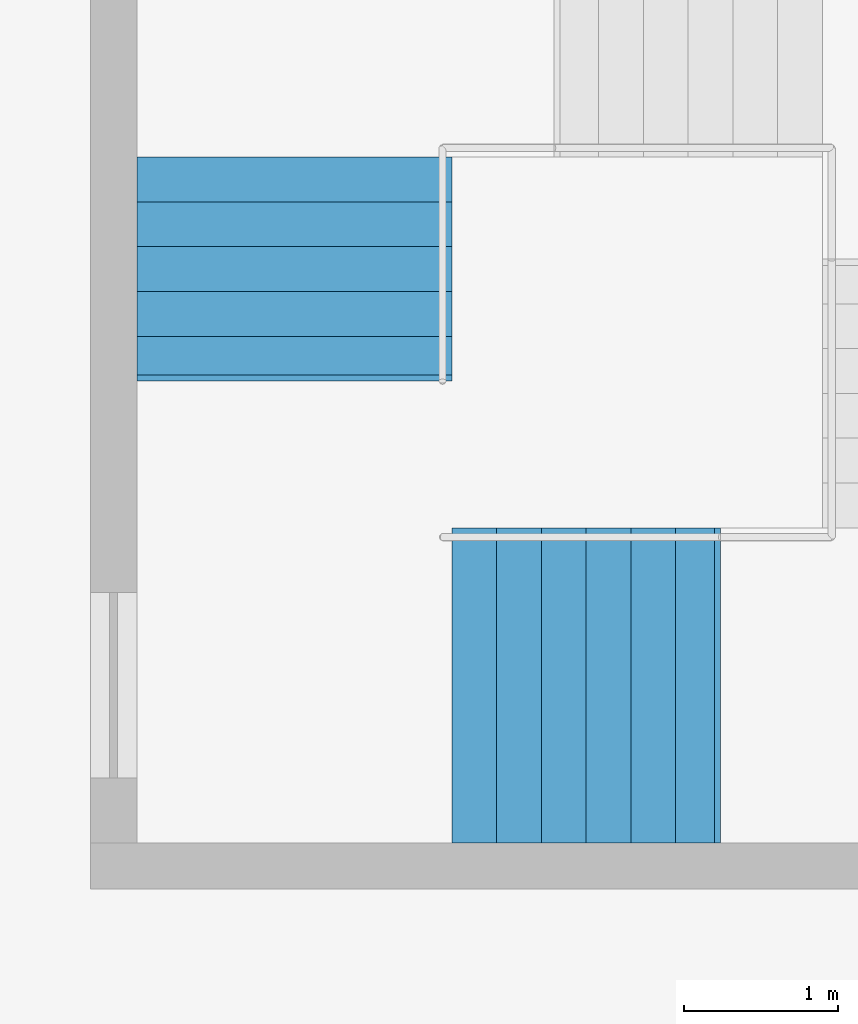
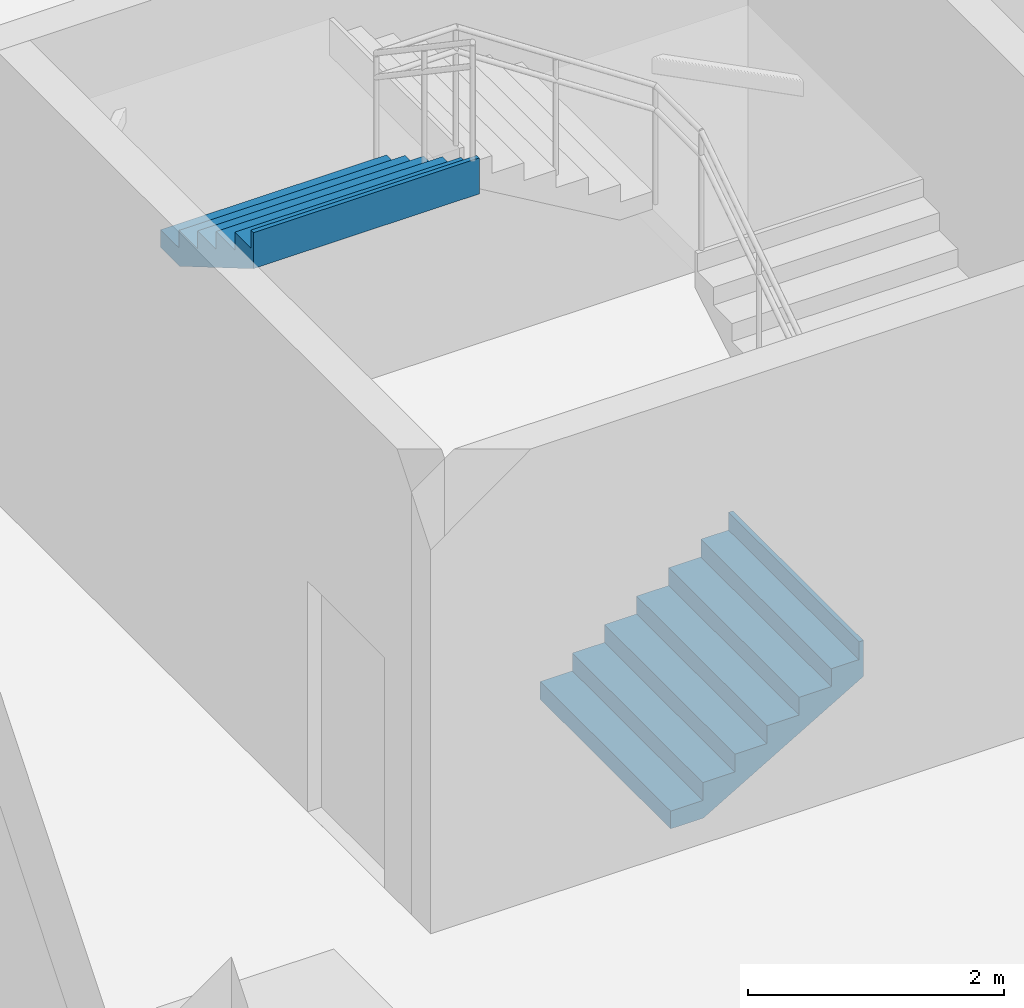
# One storey, part 27 of 30: 2 stair flights, 1 element without a shape of its own.
"""IFC4 building model written with IfcOpenShell, lengths in metres."""

import ifcopenshell
import ifcopenshell.guid

model = None  # the IFC model being written
_history = None  # IfcOwnerHistory: only IFC2X3 demands one
_inside = {}  # id of a spatial element -> (the spatial element, [elements in it])
_under = {}  # id of a project, library or spatial element -> (it, [spatial elements below it])
_declared = {}  # id of a project -> (the project, [libraries it declares])
_typed = {}  # id of a type object -> (the type object, [elements of that type])
_made_of = {}  # id of a material, layer set ... -> (it, [elements and type objects made of it])


def new_model(schema):
    """Start an empty IFC model of exactly this schema.

    Asked for "IFC4X3", IfcOpenShell would pick the latest addendum, in which some entities
    have other attributes; the version numbers below select the first issue.
    IFC2X3 requires an IfcOwnerHistory on every rooted entity: one is made here for all.
    """
    global model, _history
    if schema == "IFC4X3":
        model = ifcopenshell.file(schema_version=(4, 3, 0, 0))
    else:
        model = ifcopenshell.file(schema=schema)
    _inside.clear()
    _under.clear()
    _declared.clear()
    _typed.clear()
    _made_of.clear()
    _history = None
    if model.schema == "IFC2X3":
        org = make("IfcOrganization", Name="unknown")
        user = make(
            "IfcPersonAndOrganization",
            ThePerson=make("IfcPerson", FamilyName="unknown"),
            TheOrganization=org,
        )
        app = make(
            "IfcApplication",
            ApplicationDeveloper=org,
            Version="unknown",
            ApplicationFullName="unknown",
            ApplicationIdentifier="unknown",
        )
        _history = make(
            "IfcOwnerHistory",
            OwningUser=user,
            OwningApplication=app,
            ChangeAction="ADDED",
            CreationDate=0,
        )
    return model


def make(cls, **values):
    """One entity of the class cls with the attributes given. An attribute that is None is left unset."""
    return model.create_entity(
        cls, **{name: value for name, value in values.items() if value is not None}
    )


def rooted(cls, **values):
    """An entity with a GlobalId (a new one), such as an element, a storey or a relation."""
    return make(cls, GlobalId=ifcopenshell.guid.new(), OwnerHistory=_history, **values)


def si_unit(unit_type, name, prefix=None):
    """IfcSIUnit, for example si_unit("LENGTHUNIT", "METRE", prefix="MILLI")."""
    return make("IfcSIUnit", UnitType=unit_type, Prefix=prefix, Name=name)


def assignment(units):
    """IfcUnitAssignment: the units of a project."""
    return None if units is None else make("IfcUnitAssignment", Units=units)


def point(xyz):
    """IfcCartesianPoint."""
    return None if xyz is None else make("IfcCartesianPoint", Coordinates=xyz)


def direction(xyz):
    """IfcDirection."""
    return None if xyz is None else make("IfcDirection", DirectionRatios=xyz)


def frame(location, z_axis=None, x_axis=None):
    """IfcAxis2Placement3D, a coordinate frame: its origin and axes. An axis left out is left unset."""
    return make(
        "IfcAxis2Placement3D",
        Location=point(location),
        Axis=direction(z_axis),
        RefDirection=direction(x_axis),
    )


def origin():
    """The frame at (0, 0, 0) with its axes left unset."""
    return frame((0.0, 0.0, 0.0))


def place(relative_to, where):
    """IfcLocalPlacement: puts the frame where relative to a parent placement (None: the world)."""
    return make(
        "IfcLocalPlacement", PlacementRelTo=relative_to, RelativePlacement=where
    )


def context(
    kind, dimensions, precision=None, world=None, true_north=None, identifier=None
):
    """IfcGeometricRepresentationContext, for example the 3D "Model" context."""
    return make(
        "IfcGeometricRepresentationContext",
        ContextIdentifier=identifier,
        ContextType=kind,
        CoordinateSpaceDimension=dimensions,
        Precision=precision,
        WorldCoordinateSystem=world,
        TrueNorth=true_north,
    )


def subcontext(parent, identifier, kind, view, scale=None):
    """IfcGeometricRepresentationSubContext, for example "Body" below "Model"."""
    return make(
        "IfcGeometricRepresentationSubContext",
        ContextIdentifier=identifier,
        ContextType=kind,
        ParentContext=parent,
        TargetScale=scale,
        TargetView=view,
    )


def project(units=None, contexts=None):
    """IfcProject with its units and contexts."""
    return rooted(
        "IfcProject",
        Name="project",
        RepresentationContexts=contexts,
        UnitsInContext=assignment(units),
    )


def spatial(cls, under=None, at=None, **own):
    """A site, building, storey or space (cls), placed at a placement, below another one or the project."""
    s = rooted(cls, ObjectPlacement=at, **own)
    if under is not None:
        _under.setdefault(under.id(), (under, []))[1].append(s)
    return s


def point_list(points):
    """IfcCartesianPointList2D or 3D."""
    cls = (
        "IfcCartesianPointList2D" if len(points[0]) == 2 else "IfcCartesianPointList3D"
    )
    return make(cls, CoordList=points)


def triangles(points, corners, closed=None, point_numbers=None):
    """IfcTriangulatedFaceSet: each triangle names its three corners, points numbered from 1."""
    return make(
        "IfcTriangulatedFaceSet",
        Coordinates=point_list(points),
        Closed=closed,
        CoordIndex=corners,
        PnIndex=point_numbers,
    )


def shape(context_of_items, identifier, shape_type, items):
    """IfcShapeRepresentation: the items that make up one representation, for example the "Body"."""
    return make(
        "IfcShapeRepresentation",
        ContextOfItems=context_of_items,
        RepresentationIdentifier=identifier,
        RepresentationType=shape_type,
        Items=items,
    )


def material(Name=None, Category=None):
    """IfcMaterial."""
    return make("IfcMaterial", Name=Name, Category=Category)


def made_of(thing, what):
    """Note that an element or type object is made of a material, layer set ...; save() writes the relation."""
    if what is not None:
        _made_of.setdefault(what.id(), (what, []))[1].append(thing)
    return thing


def type_object(cls, material=None, **own):
    """A type object (cls), such as IfcWallType, which elements share."""
    return made_of(rooted(cls, **own), material)


def element(
    cls,
    number,
    at=None,
    inside=None,
    cuts=None,
    type_object=None,
    material=None,
    context=None,
    identifier="Body",
    shape_type=None,
    held_by="IfcProductDefinitionShape",
    body=None,
    shapes=None,
    **own,
):
    """One element of the class cls, such as IfcWall. Its Tag is "e" and its number.

    at: its placement. inside: the storey or other place that contains it. cuts: it is an
    opening in that element (IfcRelVoidsElement). A single representation is given by context,
    identifier, shape_type and body (its items); several are given by shapes. held_by: the class
    of the entity that holds the representations. save() writes the other relations.
    """
    e = rooted(cls, Tag="e%d" % number, ObjectPlacement=at, **own)
    if body is not None:
        shapes = [shape(context, identifier, shape_type, body)]
    if shapes is not None:
        e.Representation = make(held_by, Representations=shapes)
    if inside is not None:
        _inside.setdefault(inside.id(), (inside, []))[1].append(e)
    if cuts is not None:
        rooted(
            "IfcRelVoidsElement", RelatingBuildingElement=cuts, RelatedOpeningElement=e
        )
    if type_object is not None:
        _typed.setdefault(type_object.id(), (type_object, []))[1].append(e)
    return made_of(e, material)


def aggregate(whole, parts):
    """IfcRelAggregates: a whole, such as a stair, and the parts it consists of."""
    return rooted("IfcRelAggregates", RelatingObject=whole, RelatedObjects=parts)


def save(model, path):
    """Write the relations noted so far, then the file.

    IfcRelAggregates (storeys below a building ...), IfcRelContainedInSpatialStructure (elements
    in a storey), IfcRelDefinesByType, IfcRelAssociatesMaterial and IfcRelDeclares: one each for
    every whole, place, type object, material and project.
    """
    for whole, parts in _under.values():
        aggregate(whole, parts)
    for where, things in _inside.values():
        rooted(
            "IfcRelContainedInSpatialStructure",
            RelatedElements=things,
            RelatingStructure=where,
        )
    for kind, things in _typed.values():
        rooted("IfcRelDefinesByType", RelatedObjects=things, RelatingType=kind)
    for what, things in _made_of.values():
        rooted("IfcRelAssociatesMaterial", RelatedObjects=things, RelatingMaterial=what)
    for by, libraries in _declared.values():
        rooted("IfcRelDeclares", RelatingContext=by, RelatedDefinitions=libraries)
    model.write(path)


model = new_model("IFC4")

# Units and contexts
model_context = context("Model", 3, precision=1e-05, world=origin(), true_north=direction((0.0, 1.0)))
body_context = subcontext(model_context, "Body", "Model", "MODEL_VIEW")
ifc_project = project(units=[si_unit("LENGTHUNIT", "METRE"), si_unit("AREAUNIT", "SQUARE_METRE"), si_unit("VOLUMEUNIT", "CUBIC_METRE"), si_unit("PLANEANGLEUNIT", "RADIAN"), si_unit("MASSUNIT", "GRAM", prefix="KILO")], contexts=[model_context])

# Site, building, storey
site_placement = place(None, origin())
site = spatial("IfcSite", under=ifc_project, at=site_placement, CompositionType="ELEMENT")
building_placement = place(site_placement, origin())
building = spatial("IfcBuilding", under=site, at=building_placement, Name="Sillaruma Civic Art Gallery", CompositionType="ELEMENT")
storey_placement = place(building_placement, frame((0.0, 0.0, -9.179931640625)))
storey = spatial("IfcBuildingStorey", under=building, at=storey_placement, Name="B02", CompositionType="ELEMENT", Elevation=-9.179931640625)

# Stair, stair flights
ifc_material = material(Name="Concrete H35 (35 MPa)", Category="concrete")
stair_type = type_object("IfcStairType", Name="STR-4F-27", PredefinedType="USERDEFINED", material=ifc_material)
stair_placement = place(storey_placement, origin())
stair = element("IfcStair", 1, at=stair_placement, inside=storey, type_object=stair_type, Name="Protected Exit Stair ST-05 (East Wing) (B02)", ObjectType="THREE_RETURN_STAIR", PredefinedType="USERDEFINED")
stair_flight_type_1 = type_object("IfcStairFlightType", Name="SFL-STR-6", PredefinedType="STRAIGHT", material=ifc_material)
stair_flight_1_placement = place(storey_placement, frame((143.179931640625, 15.840087890625, 3.56982421875), z_axis=(0.0, 0.0, 1.0), x_axis=(0.0, -1.0, 0.0)))
stair_flight_1 = element("IfcStairFlight", 2, at=stair_flight_1_placement, type_object=stair_flight_type_1, Name="ST-05 flight 4", NumberOfRisers=6, NumberOfTreads=5, PredefinedType="STRAIGHT", RiserHeight=0.17, TreadLength=0.29, context=body_context, shape_type="Tessellation", body=[
    triangles([(0.0, -1.02001953125, 0.0), (0.29, -1.02001953125, 0.0), (0.296365, -1.02001953125, 0.0), (0.58, -1.02001953125, 0.166269), (0.87, -1.02001953125, 0.336269), (1.16, -1.02001953125, 0.506269), (1.409951, -1.02001953125, 0.652792), (1.449951, -1.02001953125, 0.67624), (1.449951, -1.02001953125, 1.02), (1.409951, -1.02001953125, 1.02), (1.409951, -1.02001953125, 0.85), (1.16, -1.02001953125, 0.85), (1.16, -1.02001953125, 0.68), (0.87, -1.02001953125, 0.68), (0.87, -1.02001953125, 0.51), (0.58, -1.02001953125, 0.51), (0.58, -1.02001953125, 0.34), (0.296365, -1.02001953125, 0.34), (0.29, -1.02001953125, 0.34), (0.29, -1.02001953125, 0.17), (0.0, -1.02001953125, 0.17), (0.0, -0.05, 0.0), (0.29, -0.05, 0.0), (0.296365, -0.05, 0.0), (0.58, -0.05, 0.166269), (0.87, -0.05, 0.336269), (1.16, -0.05, 0.506269), (1.409951, -0.05, 0.652792), (1.449951, -0.05, 0.67624), (1.449951, -0.05, 1.02), (1.409951, -0.05, 1.02), (1.409951, -0.05, 0.85), (1.16, -0.05, 0.85), (1.16, -0.05, 0.68), (0.87, -0.05, 0.68), (0.87, -0.05, 0.51), (0.58, -0.05, 0.51), (0.58, -0.05, 0.34), (0.296365, -0.05, 0.34), (0.29, -0.05, 0.34), (0.29, -0.05, 0.17), (0.0, -0.05, 0.17), (0.0, -0.0375, 0.0), (0.29, -0.0375, 0.0), (0.296365, -0.0375, 0.0), (0.58, -0.0375, 0.166269), (0.87, -0.0375, 0.336269), (1.16, -0.0375, 0.506269), (1.409951, -0.0375, 0.652792), (1.449951, -0.0375, 0.67624), (1.449951, -0.0375, 1.02), (1.409951, -0.0375, 1.02), (1.409951, -0.0375, 0.85), (1.16, -0.0375, 0.85), (1.16, -0.0375, 0.68), (0.87, -0.0375, 0.68), (0.87, -0.0375, 0.51), (0.58, -0.0375, 0.51), (0.58, -0.0375, 0.34), (0.296365, -0.0375, 0.34), (0.29, -0.0375, 0.34), (0.29, -0.0375, 0.17), (0.0, -0.0375, 0.17), (0.0, -0.025, 0.0), (0.29, -0.025, 0.0), (0.296365, -0.025, 0.0), (0.58, -0.025, 0.166269), (0.87, -0.025, 0.336269), (1.16, -0.025, 0.506269), (1.409951, -0.025, 0.652792), (1.449951, -0.025, 0.67624), (1.449951, -0.025, 1.02), (1.409951, -0.025, 1.02), (1.409951, -0.025, 0.85), (1.16, -0.025, 0.85), (1.16, -0.025, 0.68), (0.87, -0.025, 0.68), (0.87, -0.025, 0.51), (0.58, -0.025, 0.51), (0.58, -0.025, 0.34), (0.296365, -0.025, 0.34), (0.29, -0.025, 0.34), (0.29, -0.025, 0.17), (0.0, -0.025, 0.17), (0.0, -0.0125, 0.0), (0.29, -0.0125, 0.0), (0.296365, -0.0125, 0.0), (0.58, -0.0125, 0.166269), (0.87, -0.0125, 0.336269), (1.16, -0.0125, 0.506269), (1.409951, -0.0125, 0.652792), (1.449951, -0.0125, 0.67624), (1.449951, -0.0125, 1.02), (1.409951, -0.0125, 1.02), (1.409951, -0.0125, 0.85), (1.16, -0.0125, 0.85), (1.16, -0.0125, 0.68), (0.87, -0.0125, 0.68), (0.87, -0.0125, 0.51), (0.58, -0.0125, 0.51), (0.58, -0.0125, 0.34), (0.296365, -0.0125, 0.34), (0.29, -0.0125, 0.34), (0.29, -0.0125, 0.17), (0.0, -0.0125, 0.17), (0.0, 0.0, 0.0), (0.29, 0.0, 0.0), (0.296365, 0.0, 0.0), (0.58, 0.0, 0.166269), (0.87, 0.0, 0.336269), (1.16, 0.0, 0.506269), (1.409951, 0.0, 0.652792), (1.449951, 0.0, 0.67624), (1.449951, 0.0, 1.02), (1.409951, 0.0, 1.02), (1.409951, 0.0, 0.85), (1.16, 0.0, 0.85), (1.16, 0.0, 0.68), (0.87, 0.0, 0.68), (0.87, 0.0, 0.51), (0.58, 0.0, 0.51), (0.58, 0.0, 0.34), (0.296365, 0.0, 0.34), (0.29, 0.0, 0.34), (0.29, 0.0, 0.17), (0.0, 0.0, 0.17), (0.0, 0.0125, 0.0), (0.29, 0.0125, 0.0), (0.296365, 0.0125, 0.0), (0.58, 0.0125, 0.166269), (0.87, 0.0125, 0.336269), (1.16, 0.0125, 0.506269), (1.409951, 0.0125, 0.652792), (1.449951, 0.0125, 0.67624), (1.449951, 0.0125, 1.02), (1.409951, 0.0125, 1.02), (1.409951, 0.0125, 0.85), (1.16, 0.0125, 0.85), (1.16, 0.0125, 0.68), (0.87, 0.0125, 0.68), (0.87, 0.0125, 0.51), (0.58, 0.0125, 0.51), (0.58, 0.0125, 0.34), (0.296365, 0.0125, 0.34), (0.29, 0.0125, 0.34), (0.29, 0.0125, 0.17), (0.0, 0.0125, 0.17), (0.0, 0.025, 0.0), (0.29, 0.025, 0.0), (0.296365, 0.025, 0.0), (0.58, 0.025, 0.166269), (0.87, 0.025, 0.336269), (1.16, 0.025, 0.506269), (1.409951, 0.025, 0.652792), (1.449951, 0.025, 0.67624), (1.449951, 0.025, 1.02), (1.409951, 0.025, 1.02), (1.409951, 0.025, 0.85), (1.16, 0.025, 0.85), (1.16, 0.025, 0.68), (0.87, 0.025, 0.68), (0.87, 0.025, 0.51), (0.58, 0.025, 0.51), (0.58, 0.025, 0.34), (0.296365, 0.025, 0.34), (0.29, 0.025, 0.34), (0.29, 0.025, 0.17), (0.0, 0.025, 0.17), (0.0, 0.0375, 0.0), (0.29, 0.0375, 0.0), (0.296365, 0.0375, 0.0), (0.58, 0.0375, 0.166269), (0.87, 0.0375, 0.336269), (1.16, 0.0375, 0.506269), (1.409951, 0.0375, 0.652792), (1.449951, 0.0375, 0.67624), (1.449951, 0.0375, 1.02), (1.409951, 0.0375, 1.02), (1.409951, 0.0375, 0.85), (1.16, 0.0375, 0.85), (1.16, 0.0375, 0.68), (0.87, 0.0375, 0.68), (0.87, 0.0375, 0.51), (0.58, 0.0375, 0.51), (0.58, 0.0375, 0.34), (0.296365, 0.0375, 0.34), (0.29, 0.0375, 0.34), (0.29, 0.0375, 0.17), (0.0, 0.0375, 0.17), (0.0, 0.05, 0.0), (0.29, 0.05, 0.0), (0.296365, 0.05, 0.0), (0.58, 0.05, 0.166269), (0.87, 0.05, 0.336269), (1.16, 0.05, 0.506269), (1.409951, 0.05, 0.652792), (1.449951, 0.05, 0.67624), (1.449951, 0.05, 1.02), (1.409951, 0.05, 1.02), (1.409951, 0.05, 0.85), (1.16, 0.05, 0.85), (1.16, 0.05, 0.68), (0.87, 0.05, 0.68), (0.87, 0.05, 0.51), (0.58, 0.05, 0.51), (0.58, 0.05, 0.34), (0.296365, 0.05, 0.34), (0.29, 0.05, 0.34), (0.29, 0.05, 0.17), (0.0, 0.05, 0.17), (0.0, 1.02001953125, 0.0), (0.29, 1.02001953125, 0.0), (0.296365, 1.02001953125, 0.0), (0.58, 1.02001953125, 0.166269), (0.87, 1.02001953125, 0.336269), (1.16, 1.02001953125, 0.506269), (1.409951, 1.02001953125, 0.652792), (1.449951, 1.02001953125, 0.67624), (1.449951, 1.02001953125, 1.02), (1.409951, 1.02001953125, 1.02), (1.409951, 1.02001953125, 0.85), (1.16, 1.02001953125, 0.85), (1.16, 1.02001953125, 0.68), (0.87, 1.02001953125, 0.68), (0.87, 1.02001953125, 0.51), (0.58, 1.02001953125, 0.51), (0.58, 1.02001953125, 0.34), (0.296365, 1.02001953125, 0.34), (0.29, 1.02001953125, 0.34), (0.29, 1.02001953125, 0.17), (0.0, 1.02001953125, 0.17)], [[1, 2, 20], [1, 20, 21], [2, 3, 18], [2, 18, 20], [20, 18, 19], [3, 4, 17], [3, 17, 18], [4, 5, 15], [4, 15, 17], [17, 15, 16], [5, 6, 13], [5, 13, 15], [15, 13, 14], [6, 7, 11], [6, 11, 13], [13, 11, 12], [7, 8, 9], [7, 9, 11], [11, 9, 10], [230, 212, 211], [231, 230, 211], [228, 213, 212], [230, 228, 212], [229, 228, 230], [227, 214, 213], [228, 227, 213], [225, 215, 214], [227, 225, 214], [226, 225, 227], [223, 216, 215], [225, 223, 215], [224, 223, 225], [221, 217, 216], [223, 221, 216], [222, 221, 223], [219, 218, 217], [221, 219, 217], [220, 219, 221], [2, 1, 22], [2, 22, 23], [3, 2, 23], [3, 23, 24], [4, 3, 24], [4, 24, 25], [5, 4, 25], [5, 25, 26], [6, 5, 26], [6, 26, 27], [7, 6, 27], [7, 27, 28], [8, 7, 28], [8, 28, 29], [9, 8, 29], [9, 29, 30], [10, 9, 30], [10, 30, 31], [11, 10, 31], [11, 31, 32], [12, 11, 32], [12, 32, 33], [13, 12, 33], [13, 33, 34], [14, 13, 34], [14, 34, 35], [15, 14, 35], [15, 35, 36], [16, 15, 36], [16, 36, 37], [17, 16, 37], [17, 37, 38], [18, 17, 38], [18, 38, 39], [19, 18, 39], [19, 39, 40], [20, 19, 40], [20, 40, 41], [21, 20, 41], [21, 41, 42], [1, 21, 42], [1, 42, 22], [23, 22, 43], [23, 43, 44], [24, 23, 44], [24, 44, 45], [25, 24, 45], [25, 45, 46], [26, 25, 46], [26, 46, 47], [27, 26, 47], [27, 47, 48], [28, 27, 48], [28, 48, 49], [29, 28, 49], [29, 49, 50], [30, 29, 50], [30, 50, 51], [31, 30, 51], [31, 51, 52], [32, 31, 52], [32, 52, 53], [33, 32, 53], [33, 53, 54], [34, 33, 54], [34, 54, 55], [35, 34, 55], [35, 55, 56], [36, 35, 56], [36, 56, 57], [37, 36, 57], [37, 57, 58], [38, 37, 58], [38, 58, 59], [39, 38, 59], [39, 59, 60], [40, 39, 60], [40, 60, 61], [41, 40, 61], [41, 61, 62], [42, 41, 62], [42, 62, 63], [22, 42, 63], [22, 63, 43], [44, 43, 64], [44, 64, 65], [45, 44, 65], [45, 65, 66], [46, 45, 66], [46, 66, 67], [47, 46, 67], [47, 67, 68], [48, 47, 68], [48, 68, 69], [49, 48, 69], [49, 69, 70], [50, 49, 70], [50, 70, 71], [51, 50, 71], [51, 71, 72], [52, 51, 72], [52, 72, 73], [53, 52, 73], [53, 73, 74], [54, 53, 74], [54, 74, 75], [55, 54, 75], [55, 75, 76], [56, 55, 76], [56, 76, 77], [57, 56, 77], [57, 77, 78], [58, 57, 78], [58, 78, 79], [59, 58, 79], [59, 79, 80], [60, 59, 80], [60, 80, 81], [61, 60, 81], [61, 81, 82], [62, 61, 82], [62, 82, 83], [63, 62, 83], [63, 83, 84], [43, 63, 84], [43, 84, 64], [65, 64, 85], [65, 85, 86], [66, 65, 86], [66, 86, 87], [67, 66, 87], [67, 87, 88], [68, 67, 88], [68, 88, 89], [69, 68, 89], [69, 89, 90], [70, 69, 90], [70, 90, 91], [71, 70, 91], [71, 91, 92], [72, 71, 92], [72, 92, 93], [73, 72, 93], [73, 93, 94], [74, 73, 94], [74, 94, 95], [75, 74, 95], [75, 95, 96], [76, 75, 96], [76, 96, 97], [77, 76, 97], [77, 97, 98], [78, 77, 98], [78, 98, 99], [79, 78, 99], [79, 99, 100], [80, 79, 100], [80, 100, 101], [81, 80, 101], [81, 101, 102], [82, 81, 102], [82, 102, 103], [83, 82, 103], [83, 103, 104], [84, 83, 104], [84, 104, 105], [64, 84, 105], [64, 105, 85], [86, 85, 106], [86, 106, 107], [87, 86, 107], [87, 107, 108], [88, 87, 108], [88, 108, 109], [89, 88, 109], [89, 109, 110], [90, 89, 110], [90, 110, 111], [91, 90, 111], [91, 111, 112], [92, 91, 112], [92, 112, 113], [93, 92, 113], [93, 113, 114], [94, 93, 114], [94, 114, 115], [95, 94, 115], [95, 115, 116], [96, 95, 116], [96, 116, 117], [97, 96, 117], [97, 117, 118], [98, 97, 118], [98, 118, 119], [99, 98, 119], [99, 119, 120], [100, 99, 120], [100, 120, 121], [101, 100, 121], [101, 121, 122], [102, 101, 122], [102, 122, 123], [103, 102, 123], [103, 123, 124], [104, 103, 124], [104, 124, 125], [105, 104, 125], [105, 125, 126], [85, 105, 126], [85, 126, 106], [107, 106, 127], [107, 127, 128], [108, 107, 128], [108, 128, 129], [109, 108, 129], [109, 129, 130], [110, 109, 130], [110, 130, 131], [111, 110, 131], [111, 131, 132], [112, 111, 132], [112, 132, 133], [113, 112, 133], [113, 133, 134], [114, 113, 134], [114, 134, 135], [115, 114, 135], [115, 135, 136], [116, 115, 136], [116, 136, 137], [117, 116, 137], [117, 137, 138], [118, 117, 138], [118, 138, 139], [119, 118, 139], [119, 139, 140], [120, 119, 140], [120, 140, 141], [121, 120, 141], [121, 141, 142], [122, 121, 142], [122, 142, 143], [123, 122, 143], [123, 143, 144], [124, 123, 144], [124, 144, 145], [125, 124, 145], [125, 145, 146], [126, 125, 146], [126, 146, 147], [106, 126, 147], [106, 147, 127], [128, 127, 148], [128, 148, 149], [129, 128, 149], [129, 149, 150], [130, 129, 150], [130, 150, 151], [131, 130, 151], [131, 151, 152], [132, 131, 152], [132, 152, 153], [133, 132, 153], [133, 153, 154], [134, 133, 154], [134, 154, 155], [135, 134, 155], [135, 155, 156], [136, 135, 156], [136, 156, 157], [137, 136, 157], [137, 157, 158], [138, 137, 158], [138, 158, 159], [139, 138, 159], [139, 159, 160], [140, 139, 160], [140, 160, 161], [141, 140, 161], [141, 161, 162], [142, 141, 162], [142, 162, 163], [143, 142, 163], [143, 163, 164], [144, 143, 164], [144, 164, 165], [145, 144, 165], [145, 165, 166], [146, 145, 166], [146, 166, 167], [147, 146, 167], [147, 167, 168], [127, 147, 168], [127, 168, 148], [149, 148, 169], [149, 169, 170], [150, 149, 170], [150, 170, 171], [151, 150, 171], [151, 171, 172], [152, 151, 172], [152, 172, 173], [153, 152, 173], [153, 173, 174], [154, 153, 174], [154, 174, 175], [155, 154, 175], [155, 175, 176], [156, 155, 176], [156, 176, 177], [157, 156, 177], [157, 177, 178], [158, 157, 178], [158, 178, 179], [159, 158, 179], [159, 179, 180], [160, 159, 180], [160, 180, 181], [161, 160, 181], [161, 181, 182], [162, 161, 182], [162, 182, 183], [163, 162, 183], [163, 183, 184], [164, 163, 184], [164, 184, 185], [165, 164, 185], [165, 185, 186], [166, 165, 186], [166, 186, 187], [167, 166, 187], [167, 187, 188], [168, 167, 188], [168, 188, 189], [148, 168, 189], [148, 189, 169], [170, 169, 190], [170, 190, 191], [171, 170, 191], [171, 191, 192], [172, 171, 192], [172, 192, 193], [173, 172, 193], [173, 193, 194], [174, 173, 194], [174, 194, 195], [175, 174, 195], [175, 195, 196], [176, 175, 196], [176, 196, 197], [177, 176, 197], [177, 197, 198], [178, 177, 198], [178, 198, 199], [179, 178, 199], [179, 199, 200], [180, 179, 200], [180, 200, 201], [181, 180, 201], [181, 201, 202], [182, 181, 202], [182, 202, 203], [183, 182, 203], [183, 203, 204], [184, 183, 204], [184, 204, 205], [185, 184, 205], [185, 205, 206], [186, 185, 206], [186, 206, 207], [187, 186, 207], [187, 207, 208], [188, 187, 208], [188, 208, 209], [189, 188, 209], [189, 209, 210], [169, 189, 210], [169, 210, 190], [191, 190, 211], [191, 211, 212], [192, 191, 212], [192, 212, 213], [193, 192, 213], [193, 213, 214], [194, 193, 214], [194, 214, 215], [195, 194, 215], [195, 215, 216], [196, 195, 216], [196, 216, 217], [197, 196, 217], [197, 217, 218], [198, 197, 218], [198, 218, 219], [199, 198, 219], [199, 219, 220], [200, 199, 220], [200, 220, 221], [201, 200, 221], [201, 221, 222], [202, 201, 222], [202, 222, 223], [203, 202, 223], [203, 223, 224], [204, 203, 224], [204, 224, 225], [205, 204, 225], [205, 225, 226], [206, 205, 226], [206, 226, 227], [207, 206, 227], [207, 227, 228], [208, 207, 228], [208, 228, 229], [209, 208, 229], [209, 229, 230], [210, 209, 230], [210, 230, 231], [190, 210, 231], [190, 231, 211]], closed=True),
])
stair_flight_type_2 = type_object("IfcStairFlightType", Name="SFL-STR-7", PredefinedType="STRAIGHT", material=ifc_material)
stair_flight_2_placement = place(storey_placement, frame((144.199951171875, 12.419921875, 0.0), z_axis=(0.0, 0.0, 1.0), x_axis=(1.0, 0.0, 0.0)))
stair_flight_2 = element("IfcStairFlight", 3, at=stair_flight_2_placement, type_object=stair_flight_type_2, Name="ST-05 flight 1", NumberOfRisers=7, NumberOfTreads=6, PredefinedType="STRAIGHT", RiserHeight=0.17, TreadLength=0.29, context=body_context, shape_type="Tessellation", body=[
    triangles([(0.0, -1.02001953125, 0.0), (0.29, -1.02001953125, 0.0), (0.296404, -1.02001953125, 0.0), (0.58, -1.02001953125, 0.166246), (0.87, -1.02001953125, 0.336246), (1.16, -1.02001953125, 0.506246), (1.45, -1.02001953125, 0.676246), (1.69999, -1.02001953125, 0.822792), (1.73999, -1.02001953125, 0.84624), (1.73999, -1.02001953125, 1.19), (1.69999, -1.02001953125, 1.19), (1.69999, -1.02001953125, 1.02), (1.45, -1.02001953125, 1.02), (1.45, -1.02001953125, 0.85), (1.16, -1.02001953125, 0.85), (1.16, -1.02001953125, 0.68), (0.87, -1.02001953125, 0.68), (0.87, -1.02001953125, 0.51), (0.58, -1.02001953125, 0.51), (0.58, -1.02001953125, 0.34), (0.296404, -1.02001953125, 0.34), (0.29, -1.02001953125, 0.34), (0.29, -1.02001953125, 0.17), (0.0, -1.02001953125, 0.17), (0.0, -0.05, 0.0), (0.29, -0.05, 0.0), (0.296404, -0.05, 0.0), (0.58, -0.05, 0.166246), (0.87, -0.05, 0.336246), (1.16, -0.05, 0.506246), (1.45, -0.05, 0.676246), (1.69999, -0.05, 0.822792), (1.73999, -0.05, 0.84624), (1.73999, -0.05, 1.19), (1.69999, -0.05, 1.19), (1.69999, -0.05, 1.02), (1.45, -0.05, 1.02), (1.45, -0.05, 0.85), (1.16, -0.05, 0.85), (1.16, -0.05, 0.68), (0.87, -0.05, 0.68), (0.87, -0.05, 0.51), (0.58, -0.05, 0.51), (0.58, -0.05, 0.34), (0.296404, -0.05, 0.34), (0.29, -0.05, 0.34), (0.29, -0.05, 0.17), (0.0, -0.05, 0.17), (0.0, -0.0375, 0.0), (0.29, -0.0375, 0.0), (0.296404, -0.0375, 0.0), (0.58, -0.0375, 0.166246), (0.87, -0.0375, 0.336246), (1.16, -0.0375, 0.506246), (1.45, -0.0375, 0.676246), (1.69999, -0.0375, 0.822792), (1.73999, -0.0375, 0.84624), (1.73999, -0.0375, 1.19), (1.69999, -0.0375, 1.19), (1.69999, -0.0375, 1.02), (1.45, -0.0375, 1.02), (1.45, -0.0375, 0.85), (1.16, -0.0375, 0.85), (1.16, -0.0375, 0.68), (0.87, -0.0375, 0.68), (0.87, -0.0375, 0.51), (0.58, -0.0375, 0.51), (0.58, -0.0375, 0.34), (0.296404, -0.0375, 0.34), (0.29, -0.0375, 0.34), (0.29, -0.0375, 0.17), (0.0, -0.0375, 0.17), (0.0, -0.025, 0.0), (0.29, -0.025, 0.0), (0.296404, -0.025, 0.0), (0.58, -0.025, 0.166246), (0.87, -0.025, 0.336246), (1.16, -0.025, 0.506246), (1.45, -0.025, 0.676246), (1.69999, -0.025, 0.822792), (1.73999, -0.025, 0.84624), (1.73999, -0.025, 1.19), (1.69999, -0.025, 1.19), (1.69999, -0.025, 1.02), (1.45, -0.025, 1.02), (1.45, -0.025, 0.85), (1.16, -0.025, 0.85), (1.16, -0.025, 0.68), (0.87, -0.025, 0.68), (0.87, -0.025, 0.51), (0.58, -0.025, 0.51), (0.58, -0.025, 0.34), (0.296404, -0.025, 0.34), (0.29, -0.025, 0.34), (0.29, -0.025, 0.17), (0.0, -0.025, 0.17), (0.0, -0.0125, 0.0), (0.29, -0.0125, 0.0), (0.296404, -0.0125, 0.0), (0.58, -0.0125, 0.166246), (0.87, -0.0125, 0.336246), (1.16, -0.0125, 0.506246), (1.45, -0.0125, 0.676246), (1.69999, -0.0125, 0.822792), (1.73999, -0.0125, 0.84624), (1.73999, -0.0125, 1.19), (1.69999, -0.0125, 1.19), (1.69999, -0.0125, 1.02), (1.45, -0.0125, 1.02), (1.45, -0.0125, 0.85), (1.16, -0.0125, 0.85), (1.16, -0.0125, 0.68), (0.87, -0.0125, 0.68), (0.87, -0.0125, 0.51), (0.58, -0.0125, 0.51), (0.58, -0.0125, 0.34), (0.296404, -0.0125, 0.34), (0.29, -0.0125, 0.34), (0.29, -0.0125, 0.17), (0.0, -0.0125, 0.17), (0.0, 0.0, 0.0), (0.29, 0.0, 0.0), (0.296404, 0.0, 0.0), (0.58, 0.0, 0.166246), (0.87, 0.0, 0.336246), (1.16, 0.0, 0.506246), (1.45, 0.0, 0.676246), (1.69999, 0.0, 0.822792), (1.73999, 0.0, 0.84624), (1.73999, 0.0, 1.19), (1.69999, 0.0, 1.19), (1.69999, 0.0, 1.02), (1.45, 0.0, 1.02), (1.45, 0.0, 0.85), (1.16, 0.0, 0.85), (1.16, 0.0, 0.68), (0.87, 0.0, 0.68), (0.87, 0.0, 0.51), (0.58, 0.0, 0.51), (0.58, 0.0, 0.34), (0.296404, 0.0, 0.34), (0.29, 0.0, 0.34), (0.29, 0.0, 0.17), (0.0, 0.0, 0.17), (0.0, 0.0125, 0.0), (0.29, 0.0125, 0.0), (0.296404, 0.0125, 0.0), (0.58, 0.0125, 0.166246), (0.87, 0.0125, 0.336246), (1.16, 0.0125, 0.506246), (1.45, 0.0125, 0.676246), (1.69999, 0.0125, 0.822792), (1.73999, 0.0125, 0.84624), (1.73999, 0.0125, 1.19), (1.69999, 0.0125, 1.19), (1.69999, 0.0125, 1.02), (1.45, 0.0125, 1.02), (1.45, 0.0125, 0.85), (1.16, 0.0125, 0.85), (1.16, 0.0125, 0.68), (0.87, 0.0125, 0.68), (0.87, 0.0125, 0.51), (0.58, 0.0125, 0.51), (0.58, 0.0125, 0.34), (0.296404, 0.0125, 0.34), (0.29, 0.0125, 0.34), (0.29, 0.0125, 0.17), (0.0, 0.0125, 0.17), (0.0, 0.025, 0.0), (0.29, 0.025, 0.0), (0.296404, 0.025, 0.0), (0.58, 0.025, 0.166246), (0.87, 0.025, 0.336246), (1.16, 0.025, 0.506246), (1.45, 0.025, 0.676246), (1.69999, 0.025, 0.822792), (1.73999, 0.025, 0.84624), (1.73999, 0.025, 1.19), (1.69999, 0.025, 1.19), (1.69999, 0.025, 1.02), (1.45, 0.025, 1.02), (1.45, 0.025, 0.85), (1.16, 0.025, 0.85), (1.16, 0.025, 0.68), (0.87, 0.025, 0.68), (0.87, 0.025, 0.51), (0.58, 0.025, 0.51), (0.58, 0.025, 0.34), (0.296404, 0.025, 0.34), (0.29, 0.025, 0.34), (0.29, 0.025, 0.17), (0.0, 0.025, 0.17), (0.0, 0.0375, 0.0), (0.29, 0.0375, 0.0), (0.296404, 0.0375, 0.0), (0.58, 0.0375, 0.166246), (0.87, 0.0375, 0.336246), (1.16, 0.0375, 0.506246), (1.45, 0.0375, 0.676246), (1.69999, 0.0375, 0.822792), (1.73999, 0.0375, 0.84624), (1.73999, 0.0375, 1.19), (1.69999, 0.0375, 1.19), (1.69999, 0.0375, 1.02), (1.45, 0.0375, 1.02), (1.45, 0.0375, 0.85), (1.16, 0.0375, 0.85), (1.16, 0.0375, 0.68), (0.87, 0.0375, 0.68), (0.87, 0.0375, 0.51), (0.58, 0.0375, 0.51), (0.58, 0.0375, 0.34), (0.296404, 0.0375, 0.34), (0.29, 0.0375, 0.34), (0.29, 0.0375, 0.17), (0.0, 0.0375, 0.17), (0.0, 0.05, 0.0), (0.29, 0.05, 0.0), (0.296404, 0.05, 0.0), (0.58, 0.05, 0.166246), (0.87, 0.05, 0.336246), (1.16, 0.05, 0.506246), (1.45, 0.05, 0.676246), (1.69999, 0.05, 0.822792), (1.73999, 0.05, 0.84624), (1.73999, 0.05, 1.19), (1.69999, 0.05, 1.19), (1.69999, 0.05, 1.02), (1.45, 0.05, 1.02), (1.45, 0.05, 0.85), (1.16, 0.05, 0.85), (1.16, 0.05, 0.68), (0.87, 0.05, 0.68), (0.87, 0.05, 0.51), (0.58, 0.05, 0.51), (0.58, 0.05, 0.34), (0.296404, 0.05, 0.34), (0.29, 0.05, 0.34), (0.29, 0.05, 0.17), (0.0, 0.05, 0.17), (0.0, 1.02001953125, 0.0), (0.29, 1.02001953125, 0.0), (0.296404, 1.02001953125, 0.0), (0.58, 1.02001953125, 0.166246), (0.87, 1.02001953125, 0.336246), (1.16, 1.02001953125, 0.506246), (1.45, 1.02001953125, 0.676246), (1.69999, 1.02001953125, 0.822792), (1.73999, 1.02001953125, 0.84624), (1.73999, 1.02001953125, 1.19), (1.69999, 1.02001953125, 1.19), (1.69999, 1.02001953125, 1.02), (1.45, 1.02001953125, 1.02), (1.45, 1.02001953125, 0.85), (1.16, 1.02001953125, 0.85), (1.16, 1.02001953125, 0.68), (0.87, 1.02001953125, 0.68), (0.87, 1.02001953125, 0.51), (0.58, 1.02001953125, 0.51), (0.58, 1.02001953125, 0.34), (0.296404, 1.02001953125, 0.34), (0.29, 1.02001953125, 0.34), (0.29, 1.02001953125, 0.17), (0.0, 1.02001953125, 0.17)], [[1, 2, 23], [1, 23, 24], [2, 3, 21], [2, 21, 23], [23, 21, 22], [3, 4, 20], [3, 20, 21], [4, 5, 18], [4, 18, 20], [20, 18, 19], [5, 6, 16], [5, 16, 18], [18, 16, 17], [6, 7, 14], [6, 14, 16], [16, 14, 15], [7, 8, 12], [7, 12, 14], [14, 12, 13], [8, 9, 10], [8, 10, 12], [12, 10, 11], [263, 242, 241], [264, 263, 241], [261, 243, 242], [263, 261, 242], [262, 261, 263], [260, 244, 243], [261, 260, 243], [258, 245, 244], [260, 258, 244], [259, 258, 260], [256, 246, 245], [258, 256, 245], [257, 256, 258], [254, 247, 246], [256, 254, 246], [255, 254, 256], [252, 248, 247], [254, 252, 247], [253, 252, 254], [250, 249, 248], [252, 250, 248], [251, 250, 252], [2, 1, 25], [2, 25, 26], [3, 2, 26], [3, 26, 27], [4, 3, 27], [4, 27, 28], [5, 4, 28], [5, 28, 29], [6, 5, 29], [6, 29, 30], [7, 6, 30], [7, 30, 31], [8, 7, 31], [8, 31, 32], [9, 8, 32], [9, 32, 33], [10, 9, 33], [10, 33, 34], [11, 10, 34], [11, 34, 35], [12, 11, 35], [12, 35, 36], [13, 12, 36], [13, 36, 37], [14, 13, 37], [14, 37, 38], [15, 14, 38], [15, 38, 39], [16, 15, 39], [16, 39, 40], [17, 16, 40], [17, 40, 41], [18, 17, 41], [18, 41, 42], [19, 18, 42], [19, 42, 43], [20, 19, 43], [20, 43, 44], [21, 20, 44], [21, 44, 45], [22, 21, 45], [22, 45, 46], [23, 22, 46], [23, 46, 47], [24, 23, 47], [24, 47, 48], [1, 24, 48], [1, 48, 25], [26, 25, 49], [26, 49, 50], [27, 26, 50], [27, 50, 51], [28, 27, 51], [28, 51, 52], [29, 28, 52], [29, 52, 53], [30, 29, 53], [30, 53, 54], [31, 30, 54], [31, 54, 55], [32, 31, 55], [32, 55, 56], [33, 32, 56], [33, 56, 57], [34, 33, 57], [34, 57, 58], [35, 34, 58], [35, 58, 59], [36, 35, 59], [36, 59, 60], [37, 36, 60], [37, 60, 61], [38, 37, 61], [38, 61, 62], [39, 38, 62], [39, 62, 63], [40, 39, 63], [40, 63, 64], [41, 40, 64], [41, 64, 65], [42, 41, 65], [42, 65, 66], [43, 42, 66], [43, 66, 67], [44, 43, 67], [44, 67, 68], [45, 44, 68], [45, 68, 69], [46, 45, 69], [46, 69, 70], [47, 46, 70], [47, 70, 71], [48, 47, 71], [48, 71, 72], [25, 48, 72], [25, 72, 49], [50, 49, 73], [50, 73, 74], [51, 50, 74], [51, 74, 75], [52, 51, 75], [52, 75, 76], [53, 52, 76], [53, 76, 77], [54, 53, 77], [54, 77, 78], [55, 54, 78], [55, 78, 79], [56, 55, 79], [56, 79, 80], [57, 56, 80], [57, 80, 81], [58, 57, 81], [58, 81, 82], [59, 58, 82], [59, 82, 83], [60, 59, 83], [60, 83, 84], [61, 60, 84], [61, 84, 85], [62, 61, 85], [62, 85, 86], [63, 62, 86], [63, 86, 87], [64, 63, 87], [64, 87, 88], [65, 64, 88], [65, 88, 89], [66, 65, 89], [66, 89, 90], [67, 66, 90], [67, 90, 91], [68, 67, 91], [68, 91, 92], [69, 68, 92], [69, 92, 93], [70, 69, 93], [70, 93, 94], [71, 70, 94], [71, 94, 95], [72, 71, 95], [72, 95, 96], [49, 72, 96], [49, 96, 73], [74, 73, 97], [74, 97, 98], [75, 74, 98], [75, 98, 99], [76, 75, 99], [76, 99, 100], [77, 76, 100], [77, 100, 101], [78, 77, 101], [78, 101, 102], [79, 78, 102], [79, 102, 103], [80, 79, 103], [80, 103, 104], [81, 80, 104], [81, 104, 105], [82, 81, 105], [82, 105, 106], [83, 82, 106], [83, 106, 107], [84, 83, 107], [84, 107, 108], [85, 84, 108], [85, 108, 109], [86, 85, 109], [86, 109, 110], [87, 86, 110], [87, 110, 111], [88, 87, 111], [88, 111, 112], [89, 88, 112], [89, 112, 113], [90, 89, 113], [90, 113, 114], [91, 90, 114], [91, 114, 115], [92, 91, 115], [92, 115, 116], [93, 92, 116], [93, 116, 117], [94, 93, 117], [94, 117, 118], [95, 94, 118], [95, 118, 119], [96, 95, 119], [96, 119, 120], [73, 96, 120], [73, 120, 97], [98, 97, 121], [98, 121, 122], [99, 98, 122], [99, 122, 123], [100, 99, 123], [100, 123, 124], [101, 100, 124], [101, 124, 125], [102, 101, 125], [102, 125, 126], [103, 102, 126], [103, 126, 127], [104, 103, 127], [104, 127, 128], [105, 104, 128], [105, 128, 129], [106, 105, 129], [106, 129, 130], [107, 106, 130], [107, 130, 131], [108, 107, 131], [108, 131, 132], [109, 108, 132], [109, 132, 133], [110, 109, 133], [110, 133, 134], [111, 110, 134], [111, 134, 135], [112, 111, 135], [112, 135, 136], [113, 112, 136], [113, 136, 137], [114, 113, 137], [114, 137, 138], [115, 114, 138], [115, 138, 139], [116, 115, 139], [116, 139, 140], [117, 116, 140], [117, 140, 141], [118, 117, 141], [118, 141, 142], [119, 118, 142], [119, 142, 143], [120, 119, 143], [120, 143, 144], [97, 120, 144], [97, 144, 121], [122, 121, 145], [122, 145, 146], [123, 122, 146], [123, 146, 147], [124, 123, 147], [124, 147, 148], [125, 124, 148], [125, 148, 149], [126, 125, 149], [126, 149, 150], [127, 126, 150], [127, 150, 151], [128, 127, 151], [128, 151, 152], [129, 128, 152], [129, 152, 153], [130, 129, 153], [130, 153, 154], [131, 130, 154], [131, 154, 155], [132, 131, 155], [132, 155, 156], [133, 132, 156], [133, 156, 157], [134, 133, 157], [134, 157, 158], [135, 134, 158], [135, 158, 159], [136, 135, 159], [136, 159, 160], [137, 136, 160], [137, 160, 161], [138, 137, 161], [138, 161, 162], [139, 138, 162], [139, 162, 163], [140, 139, 163], [140, 163, 164], [141, 140, 164], [141, 164, 165], [142, 141, 165], [142, 165, 166], [143, 142, 166], [143, 166, 167], [144, 143, 167], [144, 167, 168], [121, 144, 168], [121, 168, 145], [146, 145, 169], [146, 169, 170], [147, 146, 170], [147, 170, 171], [148, 147, 171], [148, 171, 172], [149, 148, 172], [149, 172, 173], [150, 149, 173], [150, 173, 174], [151, 150, 174], [151, 174, 175], [152, 151, 175], [152, 175, 176], [153, 152, 176], [153, 176, 177], [154, 153, 177], [154, 177, 178], [155, 154, 178], [155, 178, 179], [156, 155, 179], [156, 179, 180], [157, 156, 180], [157, 180, 181], [158, 157, 181], [158, 181, 182], [159, 158, 182], [159, 182, 183], [160, 159, 183], [160, 183, 184], [161, 160, 184], [161, 184, 185], [162, 161, 185], [162, 185, 186], [163, 162, 186], [163, 186, 187], [164, 163, 187], [164, 187, 188], [165, 164, 188], [165, 188, 189], [166, 165, 189], [166, 189, 190], [167, 166, 190], [167, 190, 191], [168, 167, 191], [168, 191, 192], [145, 168, 192], [145, 192, 169], [170, 169, 193], [170, 193, 194], [171, 170, 194], [171, 194, 195], [172, 171, 195], [172, 195, 196], [173, 172, 196], [173, 196, 197], [174, 173, 197], [174, 197, 198], [175, 174, 198], [175, 198, 199], [176, 175, 199], [176, 199, 200], [177, 176, 200], [177, 200, 201], [178, 177, 201], [178, 201, 202], [179, 178, 202], [179, 202, 203], [180, 179, 203], [180, 203, 204], [181, 180, 204], [181, 204, 205], [182, 181, 205], [182, 205, 206], [183, 182, 206], [183, 206, 207], [184, 183, 207], [184, 207, 208], [185, 184, 208], [185, 208, 209], [186, 185, 209], [186, 209, 210], [187, 186, 210], [187, 210, 211], [188, 187, 211], [188, 211, 212], [189, 188, 212], [189, 212, 213], [190, 189, 213], [190, 213, 214], [191, 190, 214], [191, 214, 215], [192, 191, 215], [192, 215, 216], [169, 192, 216], [169, 216, 193], [194, 193, 217], [194, 217, 218], [195, 194, 218], [195, 218, 219], [196, 195, 219], [196, 219, 220], [197, 196, 220], [197, 220, 221], [198, 197, 221], [198, 221, 222], [199, 198, 222], [199, 222, 223], [200, 199, 223], [200, 223, 224], [201, 200, 224], [201, 224, 225], [202, 201, 225], [202, 225, 226], [203, 202, 226], [203, 226, 227], [204, 203, 227], [204, 227, 228], [205, 204, 228], [205, 228, 229], [206, 205, 229], [206, 229, 230], [207, 206, 230], [207, 230, 231], [208, 207, 231], [208, 231, 232], [209, 208, 232], [209, 232, 233], [210, 209, 233], [210, 233, 234], [211, 210, 234], [211, 234, 235], [212, 211, 235], [212, 235, 236], [213, 212, 236], [213, 236, 237], [214, 213, 237], [214, 237, 238], [215, 214, 238], [215, 238, 239], [216, 215, 239], [216, 239, 240], [193, 216, 240], [193, 240, 217], [218, 217, 241], [218, 241, 242], [219, 218, 242], [219, 242, 243], [220, 219, 243], [220, 243, 244], [221, 220, 244], [221, 244, 245], [222, 221, 245], [222, 245, 246], [223, 222, 246], [223, 246, 247], [224, 223, 247], [224, 247, 248], [225, 224, 248], [225, 248, 249], [226, 225, 249], [226, 249, 250], [227, 226, 250], [227, 250, 251], [228, 227, 251], [228, 251, 252], [229, 228, 252], [229, 252, 253], [230, 229, 253], [230, 253, 254], [231, 230, 254], [231, 254, 255], [232, 231, 255], [232, 255, 256], [233, 232, 256], [233, 256, 257], [234, 233, 257], [234, 257, 258], [235, 234, 258], [235, 258, 259], [236, 235, 259], [236, 259, 260], [237, 236, 260], [237, 260, 261], [238, 237, 261], [238, 261, 262], [239, 238, 262], [239, 262, 263], [240, 239, 263], [240, 263, 264], [217, 240, 264], [217, 264, 241]], closed=True),
])
aggregate(stair, [stair_flight_2, stair_flight_1])

save(model, "model.ifc")
